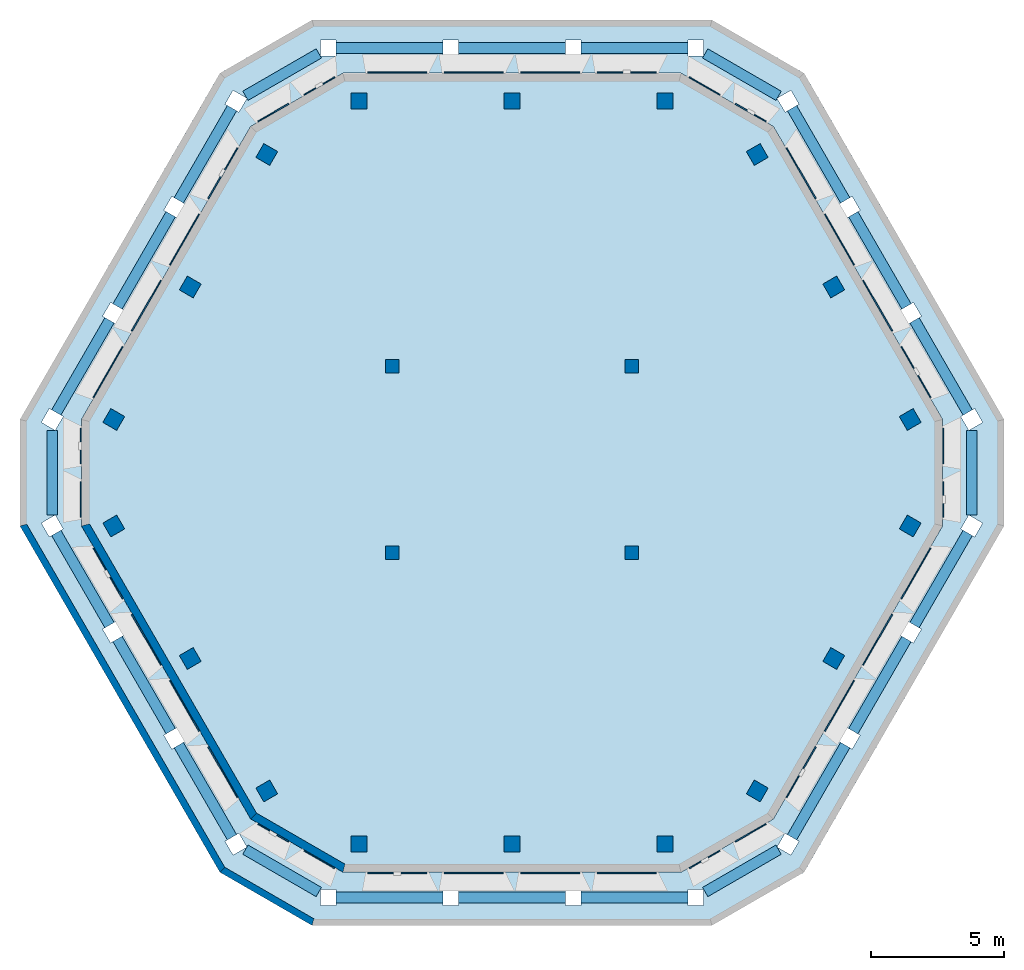
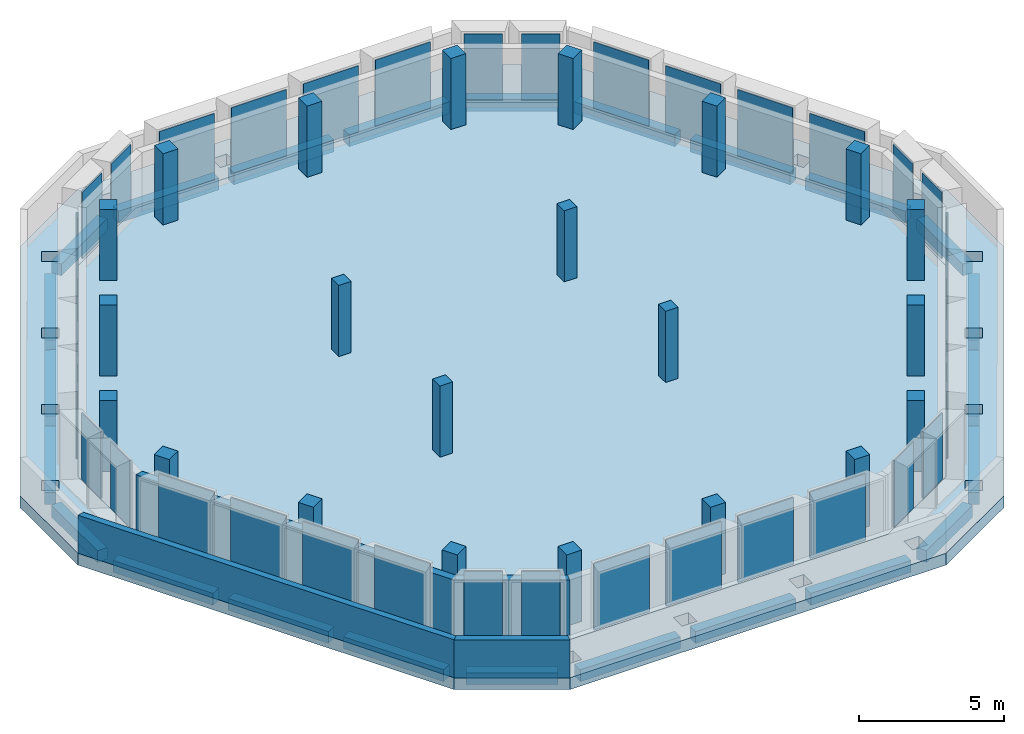
# One storey, part 1 of 3: 36 plates, 24 beams, 22 columns, 4 walls, 2 slabs.
"""IFC4 building model written with IfcOpenShell, lengths in metres."""

from ifc_helpers import new_model, si_unit, direction, frame, origin, origin_2d, place, context, subcontext, project, spatial, polyline, rectangle, outline, extrude, source, transform, mapped, material, layer, layer_set, material_profile, profile_set, type_object, type_shapes, element, save


model = new_model("IFC4")

# Units and contexts
model_context = context("Model", 3, precision=1e-05, world=origin(), true_north=direction((0.0, 1.0)))
body_context = subcontext(model_context, "Body", "Model", "MODEL_VIEW")
ifc_project = project(units=[si_unit("LENGTHUNIT", "METRE"), si_unit("AREAUNIT", "SQUARE_METRE"), si_unit("VOLUMEUNIT", "CUBIC_METRE"), si_unit("PLANEANGLEUNIT", "RADIAN"), si_unit("MASSUNIT", "GRAM", prefix="KILO")], contexts=[model_context])

# Site, building, storey
site_placement = place(None, origin())
site = spatial("IfcSite", under=ifc_project, at=site_placement, CompositionType="ELEMENT")
building_placement = place(site_placement, origin())
building = spatial("IfcBuilding", under=site, at=building_placement, Name="Beryl Residences", CompositionType="ELEMENT")
storey_placement = place(building_placement, frame((0.0, 0.0, 250.800048828125)))
storey = spatial("IfcBuildingStorey", under=building, at=storey_placement, Name="L78", CompositionType="ELEMENT", Elevation=250.800048828125)

# Columns
ifc_material_1 = material(Name="Concrete C50/60", Category="concrete")
ifc_material_profile_1 = material_profile(ifc_material_1, rectangle(XDim=0.60009765625, YDim=0.60009765625, at=origin_2d()))
ifc_profile_set_1 = profile_set([ifc_material_profile_1], Name="Concrete C50/60")
column_type_1 = type_object("IfcColumnType", Name="C6 tube column 600 x 600 C50/60", PredefinedType="COLUMN", material=ifc_profile_set_1)
for number, where, z_axis, x_axis, name in (
    (1, (5.7451171875, 13.949951171875, 0.0), (0.0, 0.0, 1.0), (-1.0, 0.0, 0.0), "C6-N1 L78"),
    (2, (0.0, 13.949951171875, 0.0), (0.0, 0.0, 1.0), (-1.0, 0.0, 0.0), "C6-N2 L78"),
    (3, (-5.7451171875, 13.949951171875, 0.0), (0.0, 0.0, 1.0), (-1.0, 0.0, 0.0), "C6-N3 L78"),
    (4, (-9.208984375, 11.949951171875, 0.0), (0.0, 0.0, 1.0), (-0.500030229685, -0.866007949964, 0.0), "C6-NW1 L78"),
    (5, (-12.08203125, 6.97509765625, 0.0), (0.0, 0.0, 1.0), (-0.500030229685, -0.866007949964, 0.0), "C6-NW2 L78"),
    (6, (-14.9541015625, 2.0, 0.0), (0.0, 0.0, 1.0), (-0.500030229685, -0.866007949964, 0.0), "C6-NW3 L78"),
    (7, (-14.9541015625, -2.0, 0.0), (0.0, 0.0, 1.0), (0.500030229685, -0.866007949964, 0.0), "C6-SW1 L78"),
    (8, (-12.08203125, -6.97509765625, 0.0), (0.0, 0.0, 1.0), (0.500030229685, -0.866007949964, 0.0), "C6-SW2 L78"),
    (9, (-9.208984375, -11.949951171875, 0.0), (0.0, 0.0, 1.0), (0.500030229685, -0.866007949964, 0.0), "C6-SW3 L78"),
    (10, (-5.7451171875, -13.949951171875, 0.0), (0.0, 0.0, 1.0), (1.0, 0.0, 0.0), "C6-S1 L78"),
    (11, (0.0, -13.949951171875, 0.0), (0.0, 0.0, 1.0), (1.0, 0.0, 0.0), "C6-S2 L78"),
    (12, (5.7451171875, -13.949951171875, 0.0), (0.0, 0.0, 1.0), (1.0, 0.0, 0.0), "C6-S3 L78"),
    (13, (9.208984375, -11.949951171875, 0.0), (0.0, 0.0, 1.0), (0.500030229685, 0.866007949964, 0.0), "C6-SE1 L78"),
    (14, (12.08203125, -6.97509765625, 0.0), (0.0, 0.0, 1.0), (0.500030229685, 0.866007949964, 0.0), "C6-SE2 L78"),
    (15, (14.9541015625, -2.0, 0.0), (0.0, 0.0, 1.0), (0.500030229685, 0.866007949964, 0.0), "C6-SE3 L78"),
    (16, (14.9541015625, 2.0, 0.0), (0.0, 0.0, 1.0), (-0.500030229685, 0.866007949964, 0.0), "C6-NE1 L78"),
    (17, (12.08203125, 6.97509765625, 0.0), (0.0, 0.0, 1.0), (-0.500030229685, 0.866007949964, 0.0), "C6-NE2 L78"),
    (18, (9.208984375, 11.949951171875, 0.0), (0.0, 0.0, 1.0), (-0.500030229685, 0.866007949964, 0.0), "C6-NE3 L78"),
):
    element("IfcColumn", number, at=place(storey_placement, frame(where, z_axis=z_axis, x_axis=x_axis)), inside=storey, type_object=column_type_1, Name=name, PredefinedType="COLUMN", context=body_context, shape_type="SweptSolid", body=[
        extrude(rectangle(XDim=0.60009765625, YDim=0.60009765625, at=origin_2d()), origin(), (0.0, 0.0, 1.0), 3.0),
    ])
ifc_material_2 = material(Name="Concrete C50/60", Category="concrete")
ifc_material_profile_2 = material_profile(ifc_material_2, rectangle(XDim=0.5, YDim=0.5, at=origin_2d()))
ifc_profile_set_2 = profile_set([ifc_material_profile_2], Name="Concrete C50/60")
column_type_2 = type_object("IfcColumnType", Name="IC6 interior column 500 x 500 C50/60", PredefinedType="COLUMN", material=ifc_profile_set_2)
for number, where, z_axis, x_axis, name in (
    (19, (-4.5, 4.0, 0.0), (0.0, 0.0, 1.0), (1.0, 0.0, 0.0), "IC6-K1 L78"),
    (20, (4.5, 4.0, 0.0), (0.0, 0.0, 1.0), (1.0, 0.0, 0.0), "IC6-K2 L78"),
    (21, (-4.5, -3.0, 0.0), (0.0, 0.0, 1.0), (1.0, 0.0, 0.0), "IC6-K3 L78"),
    (22, (4.5, -3.0, 0.0), (0.0, 0.0, 1.0), (1.0, 0.0, 0.0), "IC6-K4 L78"),
):
    element("IfcColumn", number, at=place(storey_placement, frame(where, z_axis=z_axis, x_axis=x_axis)), inside=storey, type_object=column_type_2, Name=name, PredefinedType="COLUMN", context=body_context, shape_type="SweptSolid", body=[
        extrude(rectangle(XDim=0.5, YDim=0.5, at=origin_2d()), origin(), (0.0, 0.0, 1.0), 3.0),
    ])

# Beams
ifc_material_3 = material(Name="Concrete C50/60", Category="concrete")
ifc_material_profile_3 = material_profile(ifc_material_3, rectangle(XDim=0.39990234375, YDim=0.5, at=origin_2d()))
ifc_profile_set_3 = profile_set([ifc_material_profile_3], Name="Concrete C50/60")
beam_type = type_object("IfcBeamType", Name="SB6 spandrel beam 400 x 500 C50/60", PredefinedType="SPANDREL", material=ifc_profile_set_3)
for number, where, z_axis, x_axis, name in (
    (23, (6.60009765625, 15.949951171875, -0.75), (-1.0, 0.0, 0.0), (0.0, -1.0, 0.0), "SB6 L78 N-0"),
    (24, (2.0, 15.949951171875, -0.75), (-1.0, 0.0, 0.0), (0.0, -1.0, 0.0), "SB6 L78 N-1"),
    (25, (-2.60009765625, 15.949951171875, -0.75), (-1.0, 0.0, 0.0), (0.0, -1.0, 0.0), "SB6 L78 N-2"),
):
    element("IfcBeam", number, at=place(storey_placement, frame(where, z_axis=z_axis, x_axis=x_axis)), inside=storey, type_object=beam_type, Name=name, PredefinedType="SPANDREL", context=body_context, shape_type="SweptSolid", body=[
        extrude(rectangle(XDim=0.39990234375, YDim=0.5, at=origin_2d()), origin(), (0.0, 0.0, 1.0), 4.0),
    ])
beam_1_placement = place(storey_placement, frame((-7.2548828125, 15.7451171875, -0.75), z_axis=(-0.866028341908, -0.499994910987, 0.0), x_axis=(0.499994910987, -0.866028341908, 0.0)))
element("IfcBeam", 26, at=beam_1_placement, inside=storey, type_object=beam_type, Name="SB6 L78 N-3", PredefinedType="SPANDREL", context=body_context, shape_type="SweptSolid", body=[
    extrude(rectangle(XDim=0.39990234375, YDim=0.5, at=origin_2d()), origin(), (0.0, 0.0, 1.0), 3.18017578125),
])
beam_2_placement = place(storey_placement, frame((-10.513916015625, 13.68994140625, -0.75), z_axis=(-0.500131122175, -0.865949687125, 0.0), x_axis=(0.865949687125, -0.500131122175, 0.0)))
element("IfcBeam", 27, at=beam_2_placement, inside=storey, type_object=beam_type, Name="SB6 L78 NW-0", PredefinedType="SPANDREL", context=body_context, shape_type="SweptSolid", body=[
    extrude(rectangle(XDim=0.39990234375, YDim=0.5, at=origin_2d()), origin(), (0.0, 0.0, 1.0), 3.9990234375),
])
beam_3_placement = place(storey_placement, frame((-12.81396484375, 9.70703125, -0.75), z_axis=(-0.499921531005, -0.86607070314, 0.0), x_axis=(0.86607070314, -0.499921531005, 0.0)))
element("IfcBeam", 28, at=beam_3_placement, inside=storey, type_object=beam_type, Name="SB6 L78 NW-1", PredefinedType="SPANDREL", context=body_context, shape_type="SweptSolid", body=[
    extrude(rectangle(XDim=0.39990234375, YDim=0.5, at=origin_2d()), origin(), (0.0, 0.0, 1.0), 3.998779296875),
])
beam_4_placement = place(storey_placement, frame((-15.113037109375, 5.72412109375, -0.75), z_axis=(-0.50010468279, -0.865964956711, 0.0), x_axis=(0.865964956711, -0.50010468279, 0.0)))
element("IfcBeam", 29, at=beam_4_placement, inside=storey, type_object=beam_type, Name="SB6 L78 NW-2", PredefinedType="SPANDREL", context=body_context, shape_type="SweptSolid", body=[
    extrude(rectangle(XDim=0.39990234375, YDim=0.5, at=origin_2d()), origin(), (0.0, 0.0, 1.0), 3.999267578125),
])
beam_5_placement = place(storey_placement, frame((-17.262939453125, 1.591064453125, -0.75), z_axis=(0.0, -1.0, 0.0), x_axis=(1.0, 0.0, 0.0)))
element("IfcBeam", 30, at=beam_5_placement, inside=storey, type_object=beam_type, Name="SB6 L78 NW-3", PredefinedType="SPANDREL", context=body_context, shape_type="SweptSolid", body=[
    extrude(rectangle(XDim=0.39990234375, YDim=0.5, at=origin_2d()), origin(), (0.0, 0.0, 1.0), 3.18115234375),
])
beam_6_placement = place(storey_placement, frame((-17.113037109375, -2.260009765625, -0.75), z_axis=(0.499947967163, -0.866055442873, 0.0), x_axis=(0.866055442873, 0.499947967163, 0.0)))
element("IfcBeam", 31, at=beam_6_placement, inside=storey, type_object=beam_type, Name="SB6 L78 SW-0", PredefinedType="SPANDREL", context=body_context, shape_type="SweptSolid", body=[
    extrude(rectangle(XDim=0.39990234375, YDim=0.5, at=origin_2d()), origin(), (0.0, 0.0, 1.0), 3.99853515625),
])
beam_7_placement = place(storey_placement, frame((-14.81396484375, -6.242919921875, -0.75), z_axis=(0.50010468279, -0.865964956711, 0.0), x_axis=(0.865964956711, 0.50010468279, 0.0)))
element("IfcBeam", 32, at=beam_7_placement, inside=storey, type_object=beam_type, Name="SB6 L78 SW-1", PredefinedType="SPANDREL", context=body_context, shape_type="SweptSolid", body=[
    extrude(rectangle(XDim=0.39990234375, YDim=0.5, at=origin_2d()), origin(), (0.0, 0.0, 1.0), 3.999267578125),
])
beam_8_placement = place(storey_placement, frame((-12.513916015625, -10.22607421875, -0.75), z_axis=(0.499947967163, -0.866055442873, 0.0), x_axis=(0.866055442873, 0.499947967163, 0.0)))
element("IfcBeam", 33, at=beam_8_placement, inside=storey, type_object=beam_type, Name="SB6 L78 SW-2", PredefinedType="SPANDREL", context=body_context, shape_type="SweptSolid", body=[
    extrude(rectangle(XDim=0.39990234375, YDim=0.5, at=origin_2d()), origin(), (0.0, 0.0, 1.0), 3.99853515625),
])
beam_9_placement = place(storey_placement, frame((-10.010009765625, -14.154052734375, -0.75), z_axis=(0.865972160715, -0.500092208364, 0.0), x_axis=(0.500092208364, 0.865972160715, 0.0)))
element("IfcBeam", 34, at=beam_9_placement, inside=storey, type_object=beam_type, Name="SB6 L78 SW-3", PredefinedType="SPANDREL", context=body_context, shape_type="SweptSolid", body=[
    extrude(rectangle(XDim=0.39990234375, YDim=0.5, at=origin_2d()), origin(), (0.0, 0.0, 1.0), 3.181640625),
])
for number, where, z_axis, x_axis, name in (
    (35, (-6.60009765625, -15.949951171875, -0.75), (1.0, 0.0, 0.0), (0.0, 1.0, 0.0), "SB6 L78 S-0"),
    (36, (-2.0, -15.949951171875, -0.75), (1.0, 0.0, 0.0), (0.0, 1.0, 0.0), "SB6 L78 S-1"),
    (37, (2.60009765625, -15.949951171875, -0.75), (1.0, 0.0, 0.0), (0.0, 1.0, 0.0), "SB6 L78 S-2"),
):
    element("IfcBeam", number, at=place(storey_placement, frame(where, z_axis=z_axis, x_axis=x_axis)), inside=storey, type_object=beam_type, Name=name, PredefinedType="SPANDREL", context=body_context, shape_type="SweptSolid", body=[
        extrude(rectangle(XDim=0.39990234375, YDim=0.5, at=origin_2d()), origin(), (0.0, 0.0, 1.0), 4.0),
    ])
beam_10_placement = place(storey_placement, frame((7.2548828125, -15.7451171875, -0.75), z_axis=(0.866028341908, 0.499994910987, 0.0), x_axis=(-0.499994910987, 0.866028341908, 0.0)))
element("IfcBeam", 38, at=beam_10_placement, inside=storey, type_object=beam_type, Name="SB6 L78 S-3", PredefinedType="SPANDREL", context=body_context, shape_type="SweptSolid", body=[
    extrude(rectangle(XDim=0.39990234375, YDim=0.5, at=origin_2d()), origin(), (0.0, 0.0, 1.0), 3.18017578125),
])
beam_11_placement = place(storey_placement, frame((10.513916015625, -13.68994140625, -0.75), z_axis=(0.500131122175, 0.865949687125, 0.0), x_axis=(-0.865949687125, 0.500131122175, 0.0)))
element("IfcBeam", 39, at=beam_11_placement, inside=storey, type_object=beam_type, Name="SB6 L78 SE-0", PredefinedType="SPANDREL", context=body_context, shape_type="SweptSolid", body=[
    extrude(rectangle(XDim=0.39990234375, YDim=0.5, at=origin_2d()), origin(), (0.0, 0.0, 1.0), 3.9990234375),
])
beam_12_placement = place(storey_placement, frame((12.81396484375, -9.70703125, -0.75), z_axis=(0.499921531005, 0.86607070314, 0.0), x_axis=(-0.86607070314, 0.499921531005, 0.0)))
element("IfcBeam", 40, at=beam_12_placement, inside=storey, type_object=beam_type, Name="SB6 L78 SE-1", PredefinedType="SPANDREL", context=body_context, shape_type="SweptSolid", body=[
    extrude(rectangle(XDim=0.39990234375, YDim=0.5, at=origin_2d()), origin(), (0.0, 0.0, 1.0), 3.998779296875),
])
beam_13_placement = place(storey_placement, frame((15.113037109375, -5.72412109375, -0.75), z_axis=(0.50010468279, 0.865964956711, 0.0), x_axis=(-0.865964956711, 0.50010468279, 0.0)))
element("IfcBeam", 41, at=beam_13_placement, inside=storey, type_object=beam_type, Name="SB6 L78 SE-2", PredefinedType="SPANDREL", context=body_context, shape_type="SweptSolid", body=[
    extrude(rectangle(XDim=0.39990234375, YDim=0.5, at=origin_2d()), origin(), (0.0, 0.0, 1.0), 3.999267578125),
])
beam_14_placement = place(storey_placement, frame((17.262939453125, -1.591064453125, -0.75), z_axis=(0.0, 1.0, 0.0), x_axis=(-1.0, 0.0, 0.0)))
element("IfcBeam", 42, at=beam_14_placement, inside=storey, type_object=beam_type, Name="SB6 L78 SE-3", PredefinedType="SPANDREL", context=body_context, shape_type="SweptSolid", body=[
    extrude(rectangle(XDim=0.39990234375, YDim=0.5, at=origin_2d()), origin(), (0.0, 0.0, 1.0), 3.18115234375),
])
beam_15_placement = place(storey_placement, frame((17.113037109375, 2.260009765625, -0.75), z_axis=(-0.499947967163, 0.866055442873, 0.0), x_axis=(-0.866055442873, -0.499947967163, 0.0)))
element("IfcBeam", 43, at=beam_15_placement, inside=storey, type_object=beam_type, Name="SB6 L78 NE-0", PredefinedType="SPANDREL", context=body_context, shape_type="SweptSolid", body=[
    extrude(rectangle(XDim=0.39990234375, YDim=0.5, at=origin_2d()), origin(), (0.0, 0.0, 1.0), 3.99853515625),
])
beam_16_placement = place(storey_placement, frame((14.81396484375, 6.242919921875, -0.75), z_axis=(-0.50010468279, 0.865964956711, 0.0), x_axis=(-0.865964956711, -0.50010468279, 0.0)))
element("IfcBeam", 44, at=beam_16_placement, inside=storey, type_object=beam_type, Name="SB6 L78 NE-1", PredefinedType="SPANDREL", context=body_context, shape_type="SweptSolid", body=[
    extrude(rectangle(XDim=0.39990234375, YDim=0.5, at=origin_2d()), origin(), (0.0, 0.0, 1.0), 3.999267578125),
])
beam_17_placement = place(storey_placement, frame((12.513916015625, 10.22607421875, -0.75), z_axis=(-0.499947967163, 0.866055442873, 0.0), x_axis=(-0.866055442873, -0.499947967163, 0.0)))
element("IfcBeam", 45, at=beam_17_placement, inside=storey, type_object=beam_type, Name="SB6 L78 NE-2", PredefinedType="SPANDREL", context=body_context, shape_type="SweptSolid", body=[
    extrude(rectangle(XDim=0.39990234375, YDim=0.5, at=origin_2d()), origin(), (0.0, 0.0, 1.0), 3.99853515625),
])
beam_18_placement = place(storey_placement, frame((10.010009765625, 14.154052734375, -0.75), z_axis=(-0.865972160715, 0.500092208364, 0.0), x_axis=(-0.500092208364, -0.865972160715, 0.0)))
element("IfcBeam", 46, at=beam_18_placement, inside=storey, type_object=beam_type, Name="SB6 L78 NE-3", PredefinedType="SPANDREL", context=body_context, shape_type="SweptSolid", body=[
    extrude(rectangle(XDim=0.39990234375, YDim=0.5, at=origin_2d()), origin(), (0.0, 0.0, 1.0), 3.181640625),
])

# Plates
ifc_material_4 = material(Name="Aluminium louvres", Category="aluminium")
ifc_layer_1 = layer(ifc_material_4, 0.050048828125)
ifc_layer_set_1 = layer_set([ifc_layer_1], Name="LV133 louvre panel 1330 x 2800 mm")
plate_type_1 = type_object("IfcPlateType", Name="LV133 louvre panel 1330 x 2800 mm", PredefinedType="SHEET", material=ifc_layer_set_1)
shared_shape_1 = source(origin(), body_context, "Body", "SweptSolid", [
    extrude(outline(polyline([(-0.6650390625, 0.0), (0.6650390625, 0.0), (0.6650390625, 0.050048828125), (-0.6650390625, 0.050048828125), (-0.6650390625, 0.0)])), origin(), (0.0, 0.0, 1.0), 2.800048828125),
])
type_shapes(plate_type_1, [shared_shape_1])
for number, where, z_axis, x_axis, name in (
    (47, (-7.217041015625, 14.5, 0.099853515625), (0.0, 0.0, 1.0), (0.866025403784, 0.5, 0.0), "LV133 louvre cell L78 N-NW 1"),
    (48, (-8.948974609375, 13.5, 0.099853515625), (0.0, 0.0, 1.0), (0.866025403784, 0.5, 0.0), "LV133 louvre cell L78 N-NW 2"),
    (49, (-16.166015625, 1.0, 0.099853515625), (0.0, 0.0, 1.0), (0.0, 1.0, 0.0), "LV133 louvre cell L78 NW-SW 1"),
    (50, (-16.166015625, -1.0, 0.099853515625), (0.0, 0.0, 1.0), (0.0, 1.0, 0.0), "LV133 louvre cell L78 NW-SW 2"),
    (51, (-8.948974609375, -13.5, 0.099853515625), (0.0, 0.0, 1.0), (-0.866025403784, 0.5, 0.0), "LV133 louvre cell L78 SW-S 1"),
    (52, (-7.217041015625, -14.5, 0.099853515625), (0.0, 0.0, 1.0), (-0.866025403784, 0.5, 0.0), "LV133 louvre cell L78 SW-S 2"),
    (53, (7.217041015625, -14.5, 0.099853515625), (0.0, 0.0, 1.0), (-0.866025403784, -0.5, 0.0), "LV133 louvre cell L78 S-SE 1"),
    (54, (8.948974609375, -13.5, 0.099853515625), (0.0, 0.0, 1.0), (-0.866025403784, -0.5, 0.0), "LV133 louvre cell L78 S-SE 2"),
    (55, (16.166015625, -1.0, 0.099853515625), (0.0, 0.0, 1.0), (0.0, -1.0, 0.0), "LV133 louvre cell L78 SE-NE 1"),
    (56, (16.166015625, 1.0, 0.099853515625), (0.0, 0.0, 1.0), (0.0, -1.0, 0.0), "LV133 louvre cell L78 SE-NE 2"),
    (57, (8.948974609375, 13.5, 0.099853515625), (0.0, 0.0, 1.0), (0.866025403784, -0.5, 0.0), "LV133 louvre cell L78 NE-N 1"),
    (58, (7.217041015625, 14.5, 0.099853515625), (0.0, 0.0, 1.0), (0.866025403784, -0.5, 0.0), "LV133 louvre cell L78 NE-N 2"),
):
    element("IfcPlate", number, at=place(storey_placement, frame(where, z_axis=z_axis, x_axis=x_axis)), inside=storey, type_object=plate_type_1, Name=name, PredefinedType="SHEET", context=body_context, shape_type="MappedRepresentation", body=[
        mapped(shared_shape_1, transform((0.0, 0.0, 0.0))),
    ])
ifc_material_5 = material(Name="Aluminium louvres", Category="aluminium")
ifc_layer_2 = layer(ifc_material_5, 0.050048828125)
ifc_layer_set_2 = layer_set([ifc_layer_2], Name="LV220 louvre panel 2200 x 2800 mm")
plate_type_2 = type_object("IfcPlateType", Name="LV220 louvre panel 2200 x 2800 mm", PredefinedType="SHEET", material=ifc_layer_set_2)
shared_shape_2 = source(origin(), body_context, "Body", "SweptSolid", [
    extrude(outline(polyline([(-1.10009765625, 0.0), (1.10009765625, 0.0), (1.10009765625, 0.050048828125), (-1.10009765625, 0.050048828125), (-1.10009765625, 0.0)])), origin(), (0.0, 0.0, 1.0), 2.800048828125),
])
type_shapes(plate_type_2, [shared_shape_2])
for number, where, z_axis, x_axis, name in (
    (59, (4.30908203125, 15.0, 0.099853515625), (0.0, 0.0, 1.0), (1.0, 0.0, 0.0), "LV220 louvre cell L78 N 1"),
    (60, (1.43603515625, 15.0, 0.099853515625), (0.0, 0.0, 1.0), (1.0, 0.0, 0.0), "LV220 louvre cell L78 N 2"),
    (61, (-1.43603515625, 15.0, 0.099853515625), (0.0, 0.0, 1.0), (1.0, 0.0, 0.0), "LV220 louvre cell L78 N 3"),
    (62, (-4.30908203125, 15.0, 0.099853515625), (0.0, 0.0, 1.0), (1.0, 0.0, 0.0), "LV220 louvre cell L78 N 4"),
    (63, (-10.8359375, 11.23095703125, 0.099853515625), (0.0, 0.0, 1.0), (0.5, 0.866025403784, 0.0), "LV220 louvre cell L78 NW 1"),
    (64, (-12.27294921875, 8.743896484375, 0.099853515625), (0.0, 0.0, 1.0), (0.5, 0.866025403784, 0.0), "LV220 louvre cell L78 NW 2"),
    (65, (-13.708984375, 6.256103515625, 0.099853515625), (0.0, 0.0, 1.0), (0.5, 0.866025403784, 0.0), "LV220 louvre cell L78 NW 3"),
    (66, (-15.14599609375, 3.76904296875, 0.099853515625), (0.0, 0.0, 1.0), (0.5, 0.866025403784, 0.0), "LV220 louvre cell L78 NW 4"),
    (67, (-15.14599609375, -3.76904296875, 0.099853515625), (0.0, 0.0, 1.0), (-0.5, 0.866025403784, 0.0), "LV220 louvre cell L78 SW 1"),
    (68, (-13.708984375, -6.256103515625, 0.099853515625), (0.0, 0.0, 1.0), (-0.5, 0.866025403784, 0.0), "LV220 louvre cell L78 SW 2"),
    (69, (-12.27294921875, -8.743896484375, 0.099853515625), (0.0, 0.0, 1.0), (-0.5, 0.866025403784, 0.0), "LV220 louvre cell L78 SW 3"),
    (70, (-10.8359375, -11.23095703125, 0.099853515625), (0.0, 0.0, 1.0), (-0.5, 0.866025403784, 0.0), "LV220 louvre cell L78 SW 4"),
    (71, (-4.30908203125, -15.0, 0.099853515625), (0.0, 0.0, 1.0), (-1.0, 0.0, 0.0), "LV220 louvre cell L78 S 1"),
    (72, (-1.43603515625, -15.0, 0.099853515625), (0.0, 0.0, 1.0), (-1.0, 0.0, 0.0), "LV220 louvre cell L78 S 2"),
    (73, (1.43603515625, -15.0, 0.099853515625), (0.0, 0.0, 1.0), (-1.0, 0.0, 0.0), "LV220 louvre cell L78 S 3"),
    (74, (4.30908203125, -15.0, 0.099853515625), (0.0, 0.0, 1.0), (-1.0, 0.0, 0.0), "LV220 louvre cell L78 S 4"),
    (75, (10.8359375, -11.23095703125, 0.099853515625), (0.0, 0.0, 1.0), (-0.5, -0.866025403784, 0.0), "LV220 louvre cell L78 SE 1"),
    (76, (12.27294921875, -8.743896484375, 0.099853515625), (0.0, 0.0, 1.0), (-0.5, -0.866025403784, 0.0), "LV220 louvre cell L78 SE 2"),
    (77, (13.708984375, -6.256103515625, 0.099853515625), (0.0, 0.0, 1.0), (-0.5, -0.866025403784, 0.0), "LV220 louvre cell L78 SE 3"),
    (78, (15.14599609375, -3.76904296875, 0.099853515625), (0.0, 0.0, 1.0), (-0.5, -0.866025403784, 0.0), "LV220 louvre cell L78 SE 4"),
    (79, (15.14599609375, 3.76904296875, 0.099853515625), (0.0, 0.0, 1.0), (0.5, -0.866025403784, 0.0), "LV220 louvre cell L78 NE 1"),
    (80, (13.708984375, 6.256103515625, 0.099853515625), (0.0, 0.0, 1.0), (0.5, -0.866025403784, 0.0), "LV220 louvre cell L78 NE 2"),
    (81, (12.27294921875, 8.743896484375, 0.099853515625), (0.0, 0.0, 1.0), (0.5, -0.866025403784, 0.0), "LV220 louvre cell L78 NE 3"),
    (82, (10.8359375, 11.23095703125, 0.099853515625), (0.0, 0.0, 1.0), (0.5, -0.866025403784, 0.0), "LV220 louvre cell L78 NE 4"),
):
    element("IfcPlate", number, at=place(storey_placement, frame(where, z_axis=z_axis, x_axis=x_axis)), inside=storey, type_object=plate_type_2, Name=name, PredefinedType="SHEET", context=body_context, shape_type="MappedRepresentation", body=[
        mapped(shared_shape_2, transform((0.0, 0.0, 0.0))),
    ])

# Slabs
ifc_material_6 = material(Name="Concrete C60/75", Category="concrete")
ifc_layer_3 = layer(ifc_material_6, 0.5)
ifc_layer_set_3 = layer_set([ifc_layer_3], Name="SL15 transfer plate 500 mm C60/75")
slab_type_1 = type_object("IfcSlabType", Name="SL15 transfer plate 500 mm C60/75", PredefinedType="ROOF", material=ifc_layer_set_3)
slab_1_placement = place(storey_placement, frame((0.0, 0.0, -0.5)))
element("IfcSlab", 83, at=slab_1_placement, inside=storey, type_object=slab_type_1, Name="L78 slab 1", PredefinedType="ROOF", context=body_context, shape_type="SweptSolid", body=[
    extrude(outline(polyline([(16.166015625, 2.0), (16.166015625, -2.0), (9.81494140625, -13.0), (6.35107421875, -15.0), (-6.35107421875, -15.0), (-9.81494140625, -13.0), (-16.166015625, -2.0), (-16.166015625, 2.0), (-9.81494140625, 13.0), (-6.35107421875, 15.0), (6.35107421875, 15.0), (9.81494140625, 13.0), (16.166015625, 2.0)]), holes=[polyline([(4.75, -2.75), (4.25, -2.75), (4.25, -3.25), (4.75, -3.25), (4.75, -2.75)]), polyline([(4.75, 4.25), (4.25, 4.25), (4.25, 3.75), (4.75, 3.75), (4.75, 4.25)]), polyline([(-4.25, -2.75), (-4.75, -2.75), (-4.75, -3.25), (-4.25, -3.25), (-4.25, -2.75)]), polyline([(-4.25, 4.25), (-4.75, 4.25), (-4.75, 3.75), (-4.25, 3.75), (-4.25, 4.25)])]), origin(), (0.0, 0.0, 1.0), 0.5),
])
ifc_material_7 = material(Name="Concrete C60/75", Category="concrete")
ifc_layer_4 = layer(ifc_material_7, 0.5)
ifc_layer_set_4 = layer_set([ifc_layer_4], Name="SL16 roof strip slab 500 mm C60/75")
slab_type_2 = type_object("IfcSlabType", Name="SL16 roof strip slab 500 mm C60/75", PredefinedType="ROOF", material=ifc_layer_set_4)
slab_2_placement = place(storey_placement, frame((0.0, 0.0, -0.5)))
element("IfcSlab", 84, at=slab_2_placement, inside=storey, type_object=slab_type_2, Name="roof L78 1 1", PredefinedType="ROOF", context=body_context, shape_type="SweptSolid", body=[
    extrude(outline(polyline([(18.47509765625, -2.0), (10.969970703125, -15.0), (7.506103515625, -17.0), (-7.506103515625, -17.0), (-10.969970703125, -15.0), (-18.47509765625, -2.0), (-18.47509765625, 2.0), (-10.969970703125, 15.0), (-7.506103515625, 17.0), (7.506103515625, 17.0), (10.969970703125, 15.0), (18.47509765625, 2.0), (18.47509765625, -2.0)]), holes=[polyline([(17.673095703125, 1.889892578125), (17.373046875, 2.409912109375), (16.85302734375, 2.110107421875), (17.153076171875, 1.590087890625), (17.673095703125, 1.889892578125)]), polyline([(17.153076171875, -1.591064453125), (16.85302734375, -2.111083984375), (17.373046875, -2.410888671875), (17.673095703125, -1.89111328125), (17.153076171875, -1.591064453125)]), polyline([(6.351318359375, 15.0009765625), (-6.35107421875, 15.0009765625), (-9.8154296875, 13.0009765625), (-16.1669921875, 2.00048828125), (-16.1669921875, -2.0), (-9.81591796875, -13.00048828125), (-6.3515625, -15.0009765625), (6.35107421875, -15.0009765625), (9.8154296875, -13.0009765625), (16.1669921875, -2.00048828125), (16.1669921875, 2.0), (9.81591796875, 13.00048828125), (6.351318359375, 15.0009765625)]), polyline([(14.553955078125, 6.093017578125), (14.85400390625, 5.572998046875), (15.3740234375, 5.873046875), (15.073974609375, 6.39306640625), (14.553955078125, 6.093017578125)]), polyline([(14.85302734375, -5.573974609375), (14.552978515625, -6.093994140625), (15.072998046875, -6.39404296875), (15.373046875, -5.8740234375), (14.85302734375, -5.573974609375)]), polyline([(12.553955078125, -9.556884765625), (12.25390625, -10.076904296875), (12.77392578125, -10.376953125), (13.073974609375, -9.85693359375), (12.553955078125, -9.556884765625)]), polyline([(12.25390625, 10.075927734375), (12.553955078125, 9.555908203125), (13.073974609375, 9.85595703125), (12.77392578125, 10.3759765625), (12.25390625, 10.075927734375)]), polyline([(9.955078125, 14.05908203125), (10.2548828125, 13.5390625), (10.77490234375, 13.839111328125), (10.47509765625, 14.35888671875), (9.955078125, 14.05908203125)]), polyline([(10.25390625, -13.5400390625), (9.9541015625, -14.06005859375), (10.47412109375, -14.360107421875), (10.77392578125, -13.840087890625), (10.25390625, -13.5400390625)]), polyline([(7.199951171875, -15.64990234375), (6.60009765625, -15.64990234375), (6.60009765625, -16.25), (7.199951171875, -16.25), (7.199951171875, -15.64990234375)]), polyline([(6.60009765625, 15.64990234375), (7.199951171875, 15.64990234375), (7.199951171875, 16.25), (6.60009765625, 16.25), (6.60009765625, 15.64990234375)]), polyline([(2.0, 15.64990234375), (2.60009765625, 15.64990234375), (2.60009765625, 16.25), (2.0, 16.25), (2.0, 15.64990234375)]), polyline([(2.0, -16.25), (2.60009765625, -16.25), (2.60009765625, -15.64990234375), (2.0, -15.64990234375), (2.0, -16.25)]), polyline([(-2.0, -15.64990234375), (-2.60009765625, -15.64990234375), (-2.60009765625, -16.25), (-2.0, -16.25), (-2.0, -15.64990234375)]), polyline([(-2.60009765625, 15.64990234375), (-2.0, 15.64990234375), (-2.0, 16.25), (-2.60009765625, 16.25), (-2.60009765625, 15.64990234375)]), polyline([(-7.199951171875, 15.64990234375), (-6.60009765625, 15.64990234375), (-6.60009765625, 16.25), (-7.199951171875, 16.25), (-7.199951171875, 15.64990234375)]), polyline([(-7.199951171875, -16.25), (-6.60009765625, -16.25), (-6.60009765625, -15.64990234375), (-7.199951171875, -15.64990234375), (-7.199951171875, -16.25)]), polyline([(-10.25390625, 13.5400390625), (-9.9541015625, 14.06005859375), (-10.47412109375, 14.360107421875), (-10.77392578125, 13.840087890625), (-10.25390625, 13.5400390625)]), polyline([(-9.955078125, -14.05908203125), (-10.2548828125, -13.5390625), (-10.77490234375, -13.839111328125), (-10.47509765625, -14.35888671875), (-9.955078125, -14.05908203125)]), polyline([(-12.25390625, -10.075927734375), (-12.553955078125, -9.555908203125), (-13.073974609375, -9.85595703125), (-12.77392578125, -10.3759765625), (-12.25390625, -10.075927734375)]), polyline([(-12.553955078125, 9.556884765625), (-12.25390625, 10.076904296875), (-12.77392578125, 10.376953125), (-13.073974609375, 9.85693359375), (-12.553955078125, 9.556884765625)]), polyline([(-14.85302734375, 5.573974609375), (-14.552978515625, 6.093994140625), (-15.072998046875, 6.39404296875), (-15.373046875, 5.8740234375), (-14.85302734375, 5.573974609375)]), polyline([(-14.553955078125, -6.093017578125), (-14.85400390625, -5.572998046875), (-15.3740234375, -5.873046875), (-15.073974609375, -6.39306640625), (-14.553955078125, -6.093017578125)]), polyline([(-17.373046875, 2.410888671875), (-17.673095703125, 1.89111328125), (-17.153076171875, 1.591064453125), (-16.85302734375, 2.111083984375), (-17.373046875, 2.410888671875)]), polyline([(-16.85302734375, -2.110107421875), (-17.153076171875, -1.590087890625), (-17.673095703125, -1.889892578125), (-17.373046875, -2.409912109375), (-16.85302734375, -2.110107421875)])]), origin(), (0.0, 0.0, 1.0), 0.5),
])

# Walls
ifc_material_8 = material(Name="Composite metal panel with mineral wool insulation")
ifc_layer_5 = layer(ifc_material_8, 0.300048828125)
ifc_layer_set_5 = layer_set([ifc_layer_5], Name="ES1 pale metal composite panel wall 300 mm")
wall_type_1 = type_object("IfcWallType", Name="ES1 pale metal composite panel wall 300 mm", PredefinedType="SOLIDWALL", material=ifc_layer_set_5)
wall_1_placement = place(storey_placement, frame((-16.035888671875, -1.925048828125, 0.0), z_axis=(0.0, 0.0, 1.0), x_axis=(0.499998648824, -0.866026183885, 0.0)))
element("IfcWall", 85, at=wall_1_placement, inside=storey, type_object=wall_type_1, Name="ES1 external wall L78 SW", PredefinedType="SOLIDWALL", context=body_context, shape_type="SweptSolid", body=[
    extrude(outline(polyline([(0.0, -0.14990234375), (12.70166015625, -0.14990234375), (12.621337890625, 0.14990234375), (0.080322265625, 0.14990234375), (0.0, -0.14990234375)])), origin(), (0.0, 0.0, 1.0), 2.5),
])
wall_2_placement = place(storey_placement, frame((-9.739990234375, -12.8701171875, 0.0), z_axis=(0.0, 0.0, 1.0), x_axis=(0.866026010844, -0.49999894854, 0.0)))
element("IfcWall", 86, at=wall_2_placement, inside=storey, type_object=wall_type_1, Name="ES1 external wall L78 SW-S", PredefinedType="SOLIDWALL", context=body_context, shape_type="SweptSolid", body=[
    extrude(outline(polyline([(0.0, -0.14990234375), (4.0, -0.14990234375), (3.919677734375, 0.14990234375), (0.080322265625, 0.14990234375), (0.0, -0.14990234375)])), origin(), (0.0, 0.0, 1.0), 2.5),
])
ifc_material_9 = material(Name="Precast concrete C40/50", Category="concrete")
ifc_layer_6 = layer(ifc_material_9, 0.25)
ifc_layer_set_6 = layer_set([ifc_layer_6], Name="PA1 roof parapet 250 mm")
wall_type_2 = type_object("IfcWallType", Name="PA1 roof parapet 250 mm", PredefinedType="PARAPET", material=ifc_layer_set_6)
wall_3_placement = place(storey_placement, frame((-7.444091796875, -16.89208984375, 0.0), z_axis=(0.0, 0.0, 1.0), x_axis=(-0.865843918487, 0.50031421009, 0.0)))
element("IfcWall", 87, at=wall_3_placement, inside=storey, type_object=wall_type_2, Name="PA1 parapet L78 strip 7", PredefinedType="PARAPET", context=body_context, shape_type="SweptSolid", body=[
    extrude(outline(polyline([(0.067138671875, -0.125), (3.9326171875, -0.125), (3.99951171875, 0.125), (0.0, 0.125), (0.067138671875, -0.125)])), origin(), (0.0, 0.0, 1.0), 1.599853515625),
])
wall_4_placement = place(storey_placement, frame((-10.861083984375, -14.93701171875, 0.0), z_axis=(0.0, 0.0, 1.0), x_axis=(-0.500043453909, 0.866000314205, 0.0)))
element("IfcWall", 88, at=wall_4_placement, inside=storey, type_object=wall_type_2, Name="PA1 parapet L78 strip 8", PredefinedType="PARAPET", context=body_context, shape_type="SweptSolid", body=[
    extrude(outline(polyline([(0.06689453125, -0.125), (14.943603515625, -0.125), (15.010498046875, 0.125), (0.0, 0.125), (0.06689453125, -0.125)])), origin(), (0.0, 0.0, 1.0), 1.599853515625),
])

save(model, "model.ifc")
